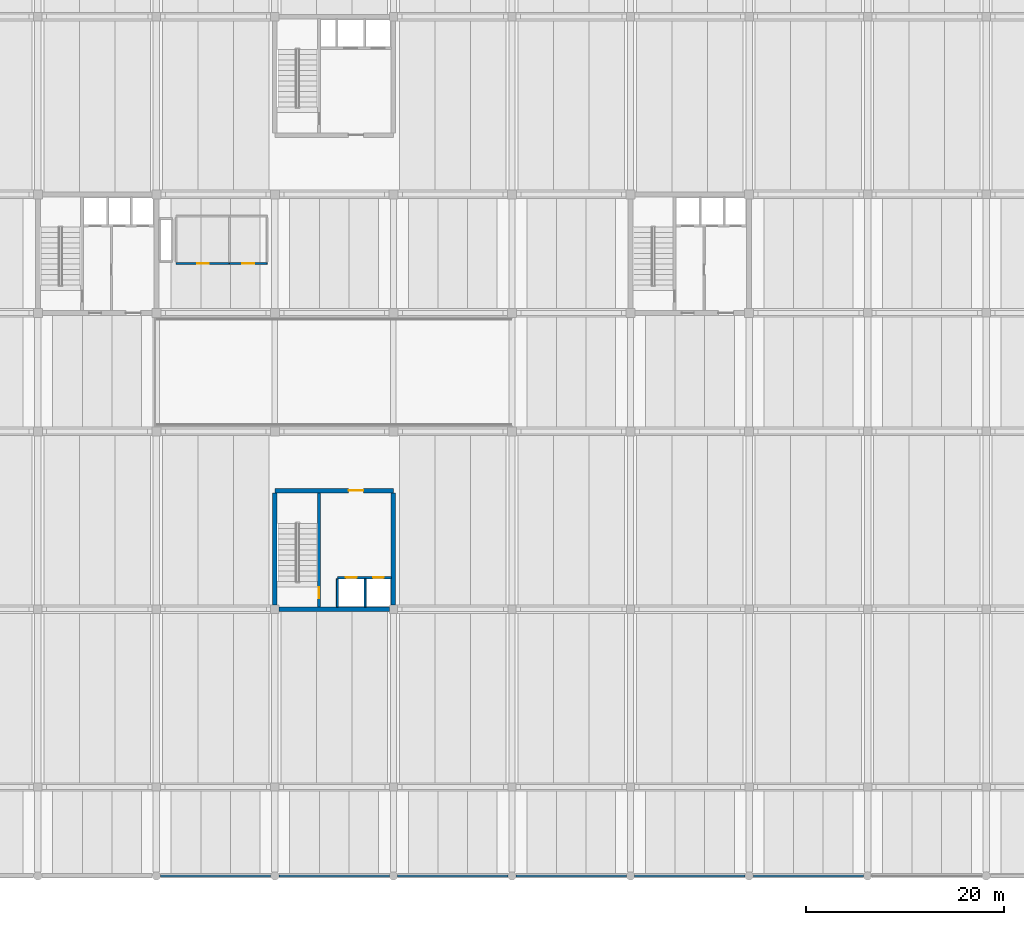
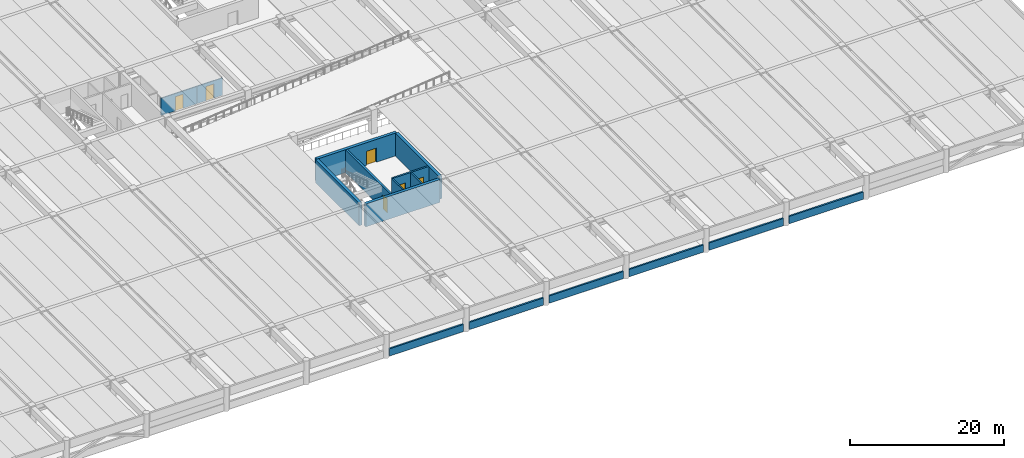
# One storey, part 8 of 19: 16 walls, 6 doors, 6 openings.
"""IFC4 building model written with IfcOpenShell, lengths in metres."""

from ifc_helpers import new_model, si_unit, direction, frame, frame_2d, origin, place, context, subcontext, project, spatial, rectangle, extrude, material, layer, layer_set, type_object, element, fill, save


model = new_model("IFC4")

# Units and contexts
model_context = context("Model", 3, precision=1e-05, world=origin(), true_north=direction((0.0, 1.0)))
body_context = subcontext(model_context, "Body", "Model", "MODEL_VIEW")
ifc_project = project(units=[si_unit("LENGTHUNIT", "METRE"), si_unit("AREAUNIT", "SQUARE_METRE"), si_unit("VOLUMEUNIT", "CUBIC_METRE"), si_unit("PLANEANGLEUNIT", "RADIAN"), si_unit("MASSUNIT", "GRAM", prefix="KILO")], contexts=[model_context])

# Site, building, storey
site_placement = place(None, origin())
site = spatial("IfcSite", under=ifc_project, at=site_placement, CompositionType="ELEMENT")
building_placement = place(site_placement, origin())
building = spatial("IfcBuilding", under=site, at=building_placement, Name="Girod Span Mobility Hub", CompositionType="ELEMENT")
storey_placement = place(building_placement, frame((0.0, 0.0, 13.39990234375)))
storey = spatial("IfcBuildingStorey", under=building, at=storey_placement, Name="L03", CompositionType="ELEMENT", Elevation=13.39990234375)

# Wall
ifc_material_1 = material(Name="Concrete C40/50", Category="concrete")
ifc_layer_1 = layer(ifc_material_1, 0.449951171875)
ifc_layer_set_1 = layer_set([ifc_layer_1], Name="Concrete C40/50")
wall_type_1 = type_object("IfcWallType", Name="W-CW-450", PredefinedType="SHEAR", material=ifc_layer_set_1)
wall_1_placement = place(storey_placement, frame((72.422119140625, 27.0, 0.0), z_axis=(0.0, 0.0, 1.0), x_axis=(1.0, 0.0, 0.0)))
element("IfcWall", 1, at=wall_1_placement, inside=storey, type_object=wall_type_1, Name="Core C3 Shear Wall S L03", PredefinedType="SHEAR", context=body_context, shape_type="SweptSolid", body=[
    extrude(rectangle(XDim=11.15576171875, YDim=0.449951171875, at=frame_2d((5.577880859375, 0.0))), origin(), (0.0, 0.0, 1.0), 3.6181640625),
])

# Wall, opening, door
wall_2_placement = place(storey_placement, frame((72.0, 39.0, 0.0), z_axis=(0.0, 0.0, 1.0), x_axis=(1.0, 0.0, 0.0)))
wall_2 = element("IfcWall", 2, at=wall_2_placement, inside=storey, type_object=wall_type_1, Name="Core C3 Shear Wall N L03", PredefinedType="SHEAR", context=body_context, shape_type="SweptSolid", body=[
    extrude(rectangle(XDim=12.0, YDim=0.449951171875, at=frame_2d((6.0, 0.0))), origin(), (0.0, 0.0, 1.0), 3.6181640625),
])
opening_1_placement = place(wall_2_placement, frame((7.449951171875, 0.0, 0.0)))
opening_1 = element("IfcOpeningElement", 3, at=opening_1_placement, cuts=wall_2, Name="Opening D-LB-C3-L03", PredefinedType="OPENING", context=body_context, shape_type="SweptSolid", body=[
    extrude(rectangle(XDim=1.5, YDim=2.25, at=frame_2d((0.75, 1.125))), frame((0.0, 0.239990234375, 0.0), z_axis=(0.0, -1.0, 0.0), x_axis=(1.0, 0.0, 0.0)), (0.0, 0.0, 1.0), 0.47998046875),
])
ifc_material_2 = material(Name="Fire-Rated Insulated Hollow Metal Steel", Category="steel")
door_type_1 = type_object("IfcDoorType", Name="DT-FD-03", OperationType="DOUBLE_DOOR_SINGLE_SWING", PredefinedType="DOOR", material=ifc_material_2)
door_1_placement = place(opening_1_placement, origin())
door_1 = element("IfcDoor", 4, at=door_1_placement, inside=storey, type_object=door_type_1, Name="Core C3 Lobby Door L03", OperationType="DOUBLE_DOOR_SINGLE_SWING", OverallHeight=2.25, OverallWidth=1.5, PredefinedType="DOOR", context=body_context, shape_type="SweptSolid", body=[
    extrude(rectangle(XDim=1.5, YDim=2.25, at=frame_2d((0.75, 1.125))), frame((0.0, 0.02490234375, 0.0), z_axis=(0.0, -1.0, 0.0), x_axis=(1.0, 0.0, 0.0)), (0.0, 0.0, 1.0), 0.050048828125),
])
fill(opening_1, door_1)

# Walls
for number, where, z_axis, x_axis, name in (
    (5, (72.0, 27.422119140625, 0.0), (0.0, 0.0, 1.0), (0.0, 1.0, 0.0), "Core C3 Shear Wall W L03"),
    (6, (84.0, 27.422119140625, 0.0), (0.0, 0.0, 1.0), (0.0, 1.0, 0.0), "Core C3 Shear Wall E L03"),
):
    element("IfcWall", number, at=place(storey_placement, frame(where, z_axis=z_axis, x_axis=x_axis)), inside=storey, type_object=wall_type_1, Name=name, PredefinedType="SHEAR", context=body_context, shape_type="SweptSolid", body=[
        extrude(rectangle(XDim=11.35595703125, YDim=0.449951171875, at=frame_2d((5.677978515625, 0.0))), origin(), (0.0, 0.0, 1.0), 3.6181640625),
    ])
ifc_material_3 = material(Name="Precast Architectural Concrete C40/50", Category="concrete")
ifc_layer_2 = layer(ifc_material_3, 0.239990234375)
ifc_layer_set_2 = layer_set([ifc_layer_2], Name="Precast Architectural Concrete C40/50")
wall_type_2 = type_object("IfcWallType", Name="W-PAR-240", PredefinedType="PARAPET", material=ifc_layer_set_2)
for number, where, z_axis, x_axis, name in (
    (7, (60.423095703125, 0.0, 0.0), (0.0, 0.0, 1.0), (1.0, 0.0, 0.0), "Precast Parking Barrier Parapet S-6 L03"),
    (8, (72.423095703125, 0.0, 0.0), (0.0, 0.0, 1.0), (1.0, 0.0, 0.0), "Precast Parking Barrier Parapet S-7 L03"),
    (9, (84.423095703125, 0.0, 0.0), (0.0, 0.0, 1.0), (1.0, 0.0, 0.0), "Precast Parking Barrier Parapet S-8 L03"),
    (10, (96.423095703125, 0.0, 0.0), (0.0, 0.0, 1.0), (1.0, 0.0, 0.0), "Precast Parking Barrier Parapet S-9 L03"),
    (11, (108.423095703125, 0.0, 0.0), (0.0, 0.0, 1.0), (1.0, 0.0, 0.0), "Precast Parking Barrier Parapet S-10 L03"),
    (12, (120.423095703125, 0.0, 0.0), (0.0, 0.0, 1.0), (1.0, 0.0, 0.0), "Precast Parking Barrier Parapet S-11 L03"),
):
    element("IfcWall", number, at=place(storey_placement, frame(where, z_axis=z_axis, x_axis=x_axis)), inside=storey, type_object=wall_type_2, Name=name, PredefinedType="PARAPET", context=body_context, shape_type="SweptSolid", body=[
        extrude(rectangle(XDim=11.15380859375, YDim=0.239990234375, at=frame_2d((5.576904296875, 0.0))), origin(), (0.0, 0.0, 1.0), 1.150146484375),
    ])

# Wall, opening, door
ifc_material_4 = material(Name="Fire-Rated Gypsum Board on Metal Studs", Category="gypsum")
ifc_layer_3 = layer(ifc_material_4, 0.155029296875)
ifc_layer_set_3 = layer_set([ifc_layer_3], Name="Fire-Rated Gypsum Board on Metal Studs")
wall_type_3 = type_object("IfcWallType", Name="W-PLB-155", PredefinedType="PLUMBINGWALL", material=ifc_layer_set_3)
wall_3_placement = place(storey_placement, frame((62.0, 62.0, 0.0), z_axis=(0.0, 0.0, 1.0), x_axis=(1.0, 0.0, 0.0)))
wall_3 = element("IfcWall", 13, at=wall_3_placement, inside=storey, type_object=wall_type_3, Name="Restroom L03 Partition S", PredefinedType="PLUMBINGWALL", context=body_context, shape_type="SweptSolid", body=[
    extrude(rectangle(XDim=5.39990234375, YDim=0.155029296875, at=frame_2d((2.699951171875, 0.0))), origin(), (0.0, 0.0, 1.0), 2.75),
])
opening_2_placement = place(wall_3_placement, frame((2.1201171875, 0.0, 0.0)))
opening_2 = element("IfcOpeningElement", 14, at=opening_2_placement, cuts=wall_3, Name="Opening D-L03-WC-MAIN", PredefinedType="OPENING", context=body_context, shape_type="SweptSolid", body=[
    extrude(rectangle(XDim=1.159912109375, YDim=2.22998046875, at=frame_2d((0.580078125, 1.114990234375))), frame((0.0, 0.092529296875, 0.0), z_axis=(0.0, -1.0, 0.0), x_axis=(1.0, 0.0, 0.0)), (0.0, 0.0, 1.0), 0.18505859375),
])
ifc_material_5 = material(Name="Solid-Core Architectural Timber", Category="wood")
door_type_2 = type_object("IfcDoorType", Name="DT-NR-07", OperationType="NOTDEFINED", PredefinedType="DOOR", material=ifc_material_5)
door_2_placement = place(opening_2_placement, origin())
door_2 = element("IfcDoor", 15, at=door_2_placement, inside=storey, type_object=door_type_2, Name="Restroom L03 Door", OperationType="SINGLE_SWING_LEFT", OverallHeight=2.22998046875, OverallWidth=1.159912109375, PredefinedType="DOOR", context=body_context, shape_type="SweptSolid", body=[
    extrude(rectangle(XDim=1.159912109375, YDim=2.22998046875, at=frame_2d((0.580078125, 1.114990234375))), frame((0.0, 0.02490234375, 0.0), z_axis=(0.0, -1.0, 0.0), x_axis=(1.0, 0.0, 0.0)), (0.0, 0.0, 1.0), 0.050048828125),
])
fill(opening_2, door_2)

wall_4_placement = place(storey_placement, frame((67.39990234375, 62.0, 0.0), z_axis=(0.0, 0.0, 1.0), x_axis=(1.0, 0.0, 0.0)))
wall_4 = element("IfcWall", 16, at=wall_4_placement, inside=storey, type_object=wall_type_3, Name="Accessible WC L03 Partition S", PredefinedType="PLUMBINGWALL", context=body_context, shape_type="SweptSolid", body=[
    extrude(rectangle(XDim=3.800048828125, YDim=0.155029296875, at=frame_2d((1.89990234375, 0.0))), origin(), (0.0, 0.0, 1.0), 2.75),
])
opening_3_placement = place(wall_4_placement, frame((1.294921875, 0.0, 0.0)))
opening_3 = element("IfcOpeningElement", 17, at=opening_3_placement, cuts=wall_4, Name="Opening D-L03-WC-ACC", PredefinedType="OPENING", context=body_context, shape_type="SweptSolid", body=[
    extrude(rectangle(XDim=1.2099609375, YDim=2.25, at=frame_2d((0.60498046875, 1.125))), frame((0.0, 0.092529296875, 0.0), z_axis=(0.0, -1.0, 0.0), x_axis=(1.0, 0.0, 0.0)), (0.0, 0.0, 1.0), 0.18505859375),
])
ifc_material_6 = material(Name="Solid-Core Architectural Timber", Category="wood")
door_type_3 = type_object("IfcDoorType", Name="DT-NR-08", OperationType="NOTDEFINED", PredefinedType="DOOR", material=ifc_material_6)
door_3_placement = place(opening_3_placement, origin())
door_3 = element("IfcDoor", 18, at=door_3_placement, inside=storey, type_object=door_type_3, Name="Accessible WC L03 Door", OperationType="SINGLE_SWING_RIGHT", OverallHeight=2.25, OverallWidth=1.2099609375, PredefinedType="DOOR", context=body_context, shape_type="SweptSolid", body=[
    extrude(rectangle(XDim=1.2099609375, YDim=2.25, at=frame_2d((0.60498046875, 1.125))), frame((0.0, 0.02490234375, 0.0), z_axis=(0.0, -1.0, 0.0), x_axis=(1.0, 0.0, 0.0)), (0.0, 0.0, 1.0), 0.050048828125),
])
fill(opening_3, door_3)

# Walls
ifc_material_7 = material(Name="Concrete C40/50", Category="concrete")
ifc_layer_4 = layer(ifc_material_7, 0.199951171875)
ifc_layer_set_4 = layer_set([ifc_layer_4], Name="Concrete C40/50")
wall_type_4 = type_object("IfcWallType", Name="W-SH-200", PredefinedType="SOLIDWALL", material=ifc_layer_set_4)
for number, where, z_axis, x_axis, name in (
    (19, (78.320068359375, 27.22509765625, 0.0), (0.0, 0.0, 1.0), (0.0, 1.0, 0.0), "Core C3 Shaft Divider 1 L03"),
    (20, (81.1201171875, 27.22509765625, 0.0), (0.0, 0.0, 1.0), (0.0, 1.0, 0.0), "Core C3 Shaft Divider 2 L03"),
):
    element("IfcWall", number, at=place(storey_placement, frame(where, z_axis=z_axis, x_axis=x_axis)), inside=storey, type_object=wall_type_4, Name=name, PredefinedType="SOLIDWALL", context=body_context, shape_type="SweptSolid", body=[
        extrude(rectangle(XDim=2.85498046875, YDim=0.199951171875, at=frame_2d((1.427490234375, 0.0))), origin(), (0.0, 0.0, 1.0), 3.608154296875),
    ])

# Wall, openings, doors
ifc_material_8 = material(Name="Concrete C40/50", Category="concrete")
ifc_layer_5 = layer(ifc_material_8, 0.25)
ifc_layer_set_5 = layer_set([ifc_layer_5], Name="Concrete C40/50")
wall_type_5 = type_object("IfcWallType", Name="W-SH-250", PredefinedType="SOLIDWALL", material=ifc_layer_set_5)
wall_5_placement = place(storey_placement, frame((78.320068359375, 30.199951171875, 0.0), z_axis=(0.0, 0.0, 1.0), x_axis=(1.0, 0.0, 0.0)))
wall_5 = element("IfcWall", 21, at=wall_5_placement, inside=storey, type_object=wall_type_5, Name="Core C3 Hoistway Front Wall L03", PredefinedType="SOLIDWALL", context=body_context, shape_type="SweptSolid", body=[
    extrude(rectangle(XDim=5.4580078125, YDim=0.25, at=frame_2d((2.72900390625, 0.0))), origin(), (0.0, 0.0, 1.0), 3.6181640625),
])
opening_4_placement = place(wall_5_placement, frame((0.860107421875, 0.0, 0.0)))
opening_4 = element("IfcOpeningElement", 22, at=opening_4_placement, cuts=wall_5, Name="Opening LD-LP-5-L03", PredefinedType="OPENING", context=body_context, shape_type="SweptSolid", body=[
    extrude(rectangle(XDim=1.080078125, YDim=2.219970703125, at=frame_2d((0.5400390625, 1.10986328125))), frame((0.0, 0.139892578125, 0.0), z_axis=(0.0, -1.0, 0.0), x_axis=(1.0, 0.0, 0.0)), (0.0, 0.0, 1.0), 0.280029296875),
])
opening_5_placement = place(wall_5_placement, frame((3.610107421875, 0.0, 0.0)))
opening_5 = element("IfcOpeningElement", 23, at=opening_5_placement, cuts=wall_5, Name="Opening LD-LP-6-L03", PredefinedType="OPENING", context=body_context, shape_type="SweptSolid", body=[
    extrude(rectangle(XDim=1.080078125, YDim=2.219970703125, at=frame_2d((0.5400390625, 1.10986328125))), frame((0.0, 0.139892578125, 0.0), z_axis=(0.0, -1.0, 0.0), x_axis=(1.0, 0.0, 0.0)), (0.0, 0.0, 1.0), 0.280029296875),
])
ifc_material_9 = material(Name="Brushed Stainless Steel Grade 304", Category="steel")
door_type_4 = type_object("IfcDoorType", Name="LD-LP-108", OperationType="SLIDING_TO_LEFT", PredefinedType="USERDEFINED", material=ifc_material_9)
door_4_placement = place(opening_4_placement, origin())
door_4 = element("IfcDoor", 24, at=door_4_placement, inside=storey, type_object=door_type_4, Name="Lift LP-5 Sliding Landing Door L03", ObjectType="LANDING DOOR", OperationType="SLIDING_TO_LEFT", OverallHeight=2.219970703125, OverallWidth=1.080078125, PredefinedType="USERDEFINED", context=body_context, shape_type="SweptSolid", body=[
    extrude(rectangle(XDim=1.080078125, YDim=2.219970703125, at=frame_2d((0.5400390625, 1.10986328125))), frame((0.0, 0.02490234375, 0.0), z_axis=(0.0, -1.0, 0.0), x_axis=(1.0, 0.0, 0.0)), (0.0, 0.0, 1.0), 0.050048828125),
])
fill(opening_4, door_4)
door_5_placement = place(opening_5_placement, origin())
door_5 = element("IfcDoor", 25, at=door_5_placement, inside=storey, type_object=door_type_4, Name="Lift LP-6 Sliding Landing Door L03", ObjectType="LANDING DOOR", OperationType="SLIDING_TO_LEFT", OverallHeight=2.219970703125, OverallWidth=1.080078125, PredefinedType="USERDEFINED", context=body_context, shape_type="SweptSolid", body=[
    extrude(rectangle(XDim=1.080078125, YDim=2.219970703125, at=frame_2d((0.5400390625, 1.10986328125))), frame((0.0, 0.02490234375, 0.0), z_axis=(0.0, -1.0, 0.0), x_axis=(1.0, 0.0, 0.0)), (0.0, 0.0, 1.0), 0.050048828125),
])
fill(opening_5, door_5)

# Wall, opening, door
ifc_material_10 = material(Name="Concrete C40/50", Category="concrete")
ifc_layer_6 = layer(ifc_material_10, 0.300048828125)
ifc_layer_set_6 = layer_set([ifc_layer_6], Name="Concrete C40/50")
wall_type_6 = type_object("IfcWallType", Name="W-SH-300", PredefinedType="SHEAR", material=ifc_layer_set_6)
wall_6_placement = place(storey_placement, frame((76.449951171875, 27.221923828125, 0.0), z_axis=(0.0, 0.0, 1.0), x_axis=(0.0, 1.0, 0.0)))
wall_6 = element("IfcWall", 26, at=wall_6_placement, inside=storey, type_object=wall_type_6, Name="Core C3 Stairwell Spine Wall L03", PredefinedType="SHEAR", context=body_context, shape_type="SweptSolid", body=[
    extrude(rectangle(XDim=11.55615234375, YDim=0.300048828125, at=frame_2d((5.778076171875, 0.0))), origin(), (0.0, 0.0, 1.0), 3.6181640625),
])
opening_6_placement = place(wall_6_placement, frame((0.89990234375, 0.0, 0.0)))
opening_6 = element("IfcOpeningElement", 27, at=opening_6_placement, cuts=wall_6, Name="Opening D-ST-3-L03", PredefinedType="OPENING", context=body_context, shape_type="SweptSolid", body=[
    extrude(rectangle(XDim=1.10009765625, YDim=2.199951171875, at=frame_2d((0.550048828125, 1.10009765625))), frame((0.0, 0.1650390625, 0.0), z_axis=(0.0, -1.0, 0.0), x_axis=(1.0, 0.0, 0.0)), (0.0, 0.0, 1.0), 0.330078125),
])
ifc_material_11 = material(Name="Fire-Rated Insulated Hollow Metal Steel", Category="steel")
door_type_5 = type_object("IfcDoorType", Name="DT-FD-01", OperationType="NOTDEFINED", PredefinedType="DOOR", material=ifc_material_11)
door_6_placement = place(opening_6_placement, origin())
door_6 = element("IfcDoor", 28, at=door_6_placement, inside=storey, type_object=door_type_5, Name="Stair ST-3 Fire Door L03", OperationType="SINGLE_SWING_LEFT", OverallHeight=2.199951171875, OverallWidth=1.10009765625, PredefinedType="DOOR", context=body_context, shape_type="SweptSolid", body=[
    extrude(rectangle(XDim=1.10009765625, YDim=2.199951171875, at=frame_2d((0.550048828125, 1.10009765625))), frame((0.0, 0.02490234375, 0.0), z_axis=(0.0, -1.0, 0.0), x_axis=(1.0, 0.0, 0.0)), (0.0, 0.0, 1.0), 0.050048828125),
])
fill(opening_6, door_6)

save(model, "model.ifc")
